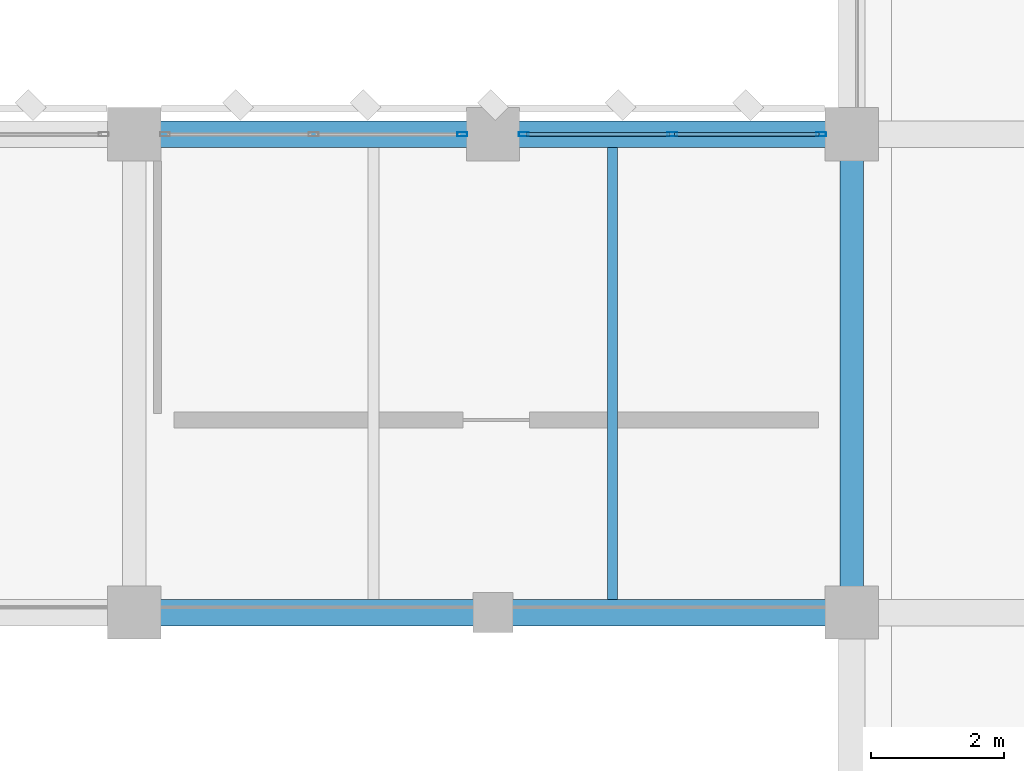
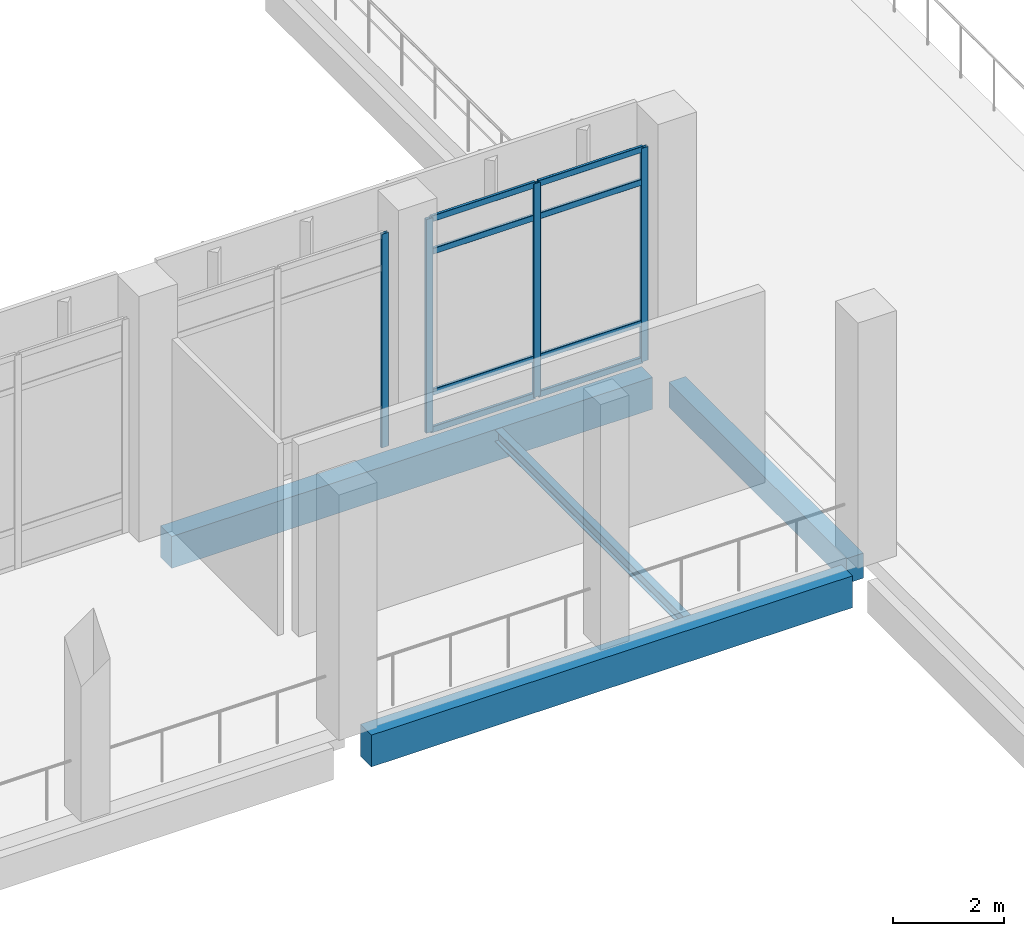
# One storey, part 49 of 180: 12 members, 4 beams, 2 elements without a shape of their own.
"""IFC4 building model written with IfcOpenShell, lengths in metres."""

from ifc_helpers import new_model, si_unit, direction, frame, origin, origin_2d, place, context, subcontext, project, spatial, rectangle, hollow_rectangle, i_section, extrude, material, material_profile, profile_set, type_object, element, aggregate, save


model = new_model("IFC4")

# Units and contexts
model_context = context("Model", 3, precision=1e-05, world=origin(), true_north=direction((0.0, 1.0)))
body_context = subcontext(model_context, "Body", "Model", "MODEL_VIEW")
ifc_project = project(units=[si_unit("LENGTHUNIT", "METRE"), si_unit("AREAUNIT", "SQUARE_METRE"), si_unit("VOLUMEUNIT", "CUBIC_METRE"), si_unit("PLANEANGLEUNIT", "RADIAN"), si_unit("MASSUNIT", "GRAM", prefix="KILO")], contexts=[model_context])

# Site, building, storey
site_placement = place(None, origin())
site = spatial("IfcSite", under=ifc_project, at=site_placement, CompositionType="ELEMENT")
building_placement = place(site_placement, origin())
building = spatial("IfcBuilding", under=site, at=building_placement, Name="Lusvemor Sports Hall", CompositionType="ELEMENT")
storey_placement = place(building_placement, frame((0.0, 0.0, 5.39990234375)))
storey = spatial("IfcBuildingStorey", under=building, at=storey_placement, Name="L01", CompositionType="ELEMENT", Elevation=5.39990234375)

# Beam
ifc_material_1 = material(Name="Concrete C40/50", Category="concrete")
ifc_material_profile_1 = material_profile(ifc_material_1, rectangle(XDim=0.35009765625, YDim=0.550048828125, at=origin_2d()), Name="RC350x550")
ifc_profile_set_1 = profile_set([ifc_material_profile_1], Name="Concrete C40/50")
beam_type_1 = type_object("IfcBeamType", Name="BEAM_RC_550", PredefinedType="BEAM", material=ifc_profile_set_1)
beam_1_placement = place(storey_placement, frame((75.60009765625, 39.99609375, -0.614990234375), z_axis=(0.0, 1.0, 0.0), x_axis=(-1.0, 0.0, 0.0)))
element("IfcBeam", 1, at=beam_1_placement, inside=storey, type_object=beam_type_1, Name="Beam L01 8:E-F", PredefinedType="BEAM", context=body_context, shape_type="SweptSolid", body=[
    extrude(rectangle(XDim=0.35009765625, YDim=0.550048828125, at=origin_2d()), origin(), (0.0, 0.0, 1.0), 6.407958984375),
])

# Curtain wall, member
ifc_material_2 = material(Name="Thermally broken bronze-anodized aluminium", Category="aluminium")
curtain_wall_type = type_object("IfcCurtainWallType", Name="CW_COURT_C", PredefinedType="NOTDEFINED", material=ifc_material_2)
curtain_wall_1_placement = place(storey_placement, origin())
curtain_wall_1 = element("IfcCurtainWall", 2, at=curtain_wall_1_placement, inside=storey, type_object=curtain_wall_type, Name="Curtain Wall CW-V1N-L01-6-A", PredefinedType="NOTDEFINED")
ifc_material_3 = material(Name="Thermally broken bronze-anodized aluminium", Category="aluminium")
ifc_material_profile_2 = material_profile(ifc_material_3, hollow_rectangle(XDim=0.06494140625, YDim=0.14990234375, WallThickness=0.00390625, InnerFilletRadius=0.00390625, OuterFilletRadius=0.008056640625, at=origin_2d()), Name="CWMUL150x65x4")
ifc_profile_set_2 = profile_set([ifc_material_profile_2], Name="Thermally broken bronze-anodized aluminium")
member_type_1 = type_object("IfcMemberType", Name="CW_MUL_B", PredefinedType="MULLION", material=ifc_profile_set_2)
member_1_placement = place(storey_placement, frame((69.737548828125, 46.800048828125, 0.0), z_axis=(0.0, 0.0, 1.0), x_axis=(0.0, 1.0, 0.0)))
member_1 = element("IfcMember", 3, at=member_1_placement, type_object=member_type_1, Name="CW03 mullion 3", PredefinedType="MULLION", context=body_context, shape_type="SweptSolid", body=[
    extrude(hollow_rectangle(XDim=0.06494140625, YDim=0.14990234375, WallThickness=0.00390625, InnerFilletRadius=0.00390625, OuterFilletRadius=0.008056640625, at=origin_2d()), origin(), (0.0, 0.0, 1.0), 4.7001953125),
])
aggregate(curtain_wall_1, [member_1])

# Curtain wall, members
curtain_wall_2_placement = place(storey_placement, origin())
curtain_wall_2 = element("IfcCurtainWall", 4, at=curtain_wall_2_placement, inside=storey, type_object=curtain_wall_type, Name="Curtain Wall CW-V1N-L01-6-B", PredefinedType="NOTDEFINED")
member_2_placement = place(storey_placement, frame((70.66259765625, 46.800048828125, 0.0), z_axis=(0.0, 0.0, 1.0), x_axis=(0.0, 1.0, 0.0)))
member_2 = element("IfcMember", 5, at=member_2_placement, type_object=member_type_1, Name="CW03 mullion 1", PredefinedType="MULLION", context=body_context, shape_type="SweptSolid", body=[
    extrude(hollow_rectangle(XDim=0.06494140625, YDim=0.14990234375, WallThickness=0.00390625, InnerFilletRadius=0.00390625, OuterFilletRadius=0.008056640625, at=origin_2d()), origin(), (0.0, 0.0, 1.0), 4.7001953125),
])
member_3_placement = place(storey_placement, frame((72.89990234375, 46.800048828125, 0.0), z_axis=(0.0, 0.0, 1.0), x_axis=(0.0, 1.0, 0.0)))
member_3 = element("IfcMember", 6, at=member_3_placement, type_object=member_type_1, Name="CW03 mullion 2", PredefinedType="MULLION", context=body_context, shape_type="SweptSolid", body=[
    extrude(hollow_rectangle(XDim=0.06494140625, YDim=0.14990234375, WallThickness=0.00390625, InnerFilletRadius=0.00390625, OuterFilletRadius=0.008056640625, at=origin_2d()), origin(), (0.0, 0.0, 1.0), 4.7001953125),
])
member_4_placement = place(storey_placement, frame((75.137451171875, 46.800048828125, 0.0), z_axis=(0.0, 0.0, 1.0), x_axis=(0.0, 1.0, 0.0)))
member_4 = element("IfcMember", 7, at=member_4_placement, type_object=member_type_1, Name="CW03 mullion 3", PredefinedType="MULLION", context=body_context, shape_type="SweptSolid", body=[
    extrude(hollow_rectangle(XDim=0.06494140625, YDim=0.14990234375, WallThickness=0.00390625, InnerFilletRadius=0.00390625, OuterFilletRadius=0.008056640625, at=origin_2d()), origin(), (0.0, 0.0, 1.0), 4.7001953125),
])
ifc_material_4 = material(Name="Thermally broken bronze-anodized aluminium", Category="aluminium")
ifc_material_profile_3 = material_profile(ifc_material_4, hollow_rectangle(XDim=0.06005859375, YDim=0.135009765625, WallThickness=0.00390625, InnerFilletRadius=0.00390625, OuterFilletRadius=0.008056640625, at=origin_2d()), Name="CWTRN135x60x4")
ifc_profile_set_3 = profile_set([ifc_material_profile_3], Name="Thermally broken bronze-anodized aluminium")
member_type_2 = type_object("IfcMemberType", Name="CW_TRN_B", PredefinedType="USERDEFINED", material=ifc_profile_set_3)
member_5_placement = place(storey_placement, frame((70.695068359375, 46.800048828125, 0.030029296875), z_axis=(1.0, 0.0, 0.0), x_axis=(0.0, 1.0, 0.0)))
member_5 = element("IfcMember", 8, at=member_5_placement, type_object=member_type_2, Name="CW03 transom 1.1", ObjectType="TRANSOM", PredefinedType="USERDEFINED", context=body_context, shape_type="SweptSolid", body=[
    extrude(hollow_rectangle(XDim=0.06005859375, YDim=0.135009765625, WallThickness=0.00390625, InnerFilletRadius=0.00390625, OuterFilletRadius=0.008056640625, at=origin_2d()), origin(), (0.0, 0.0, 1.0), 2.17236328125),
])
member_6_placement = place(storey_placement, frame((70.695068359375, 46.800048828125, 0.85009765625), z_axis=(1.0, 0.0, 0.0), x_axis=(0.0, 1.0, 0.0)))
member_6 = element("IfcMember", 9, at=member_6_placement, type_object=member_type_2, Name="CW03 transom 1.2", ObjectType="TRANSOM", PredefinedType="USERDEFINED", context=body_context, shape_type="SweptSolid", body=[
    extrude(hollow_rectangle(XDim=0.06005859375, YDim=0.135009765625, WallThickness=0.00390625, InnerFilletRadius=0.00390625, OuterFilletRadius=0.008056640625, at=origin_2d()), origin(), (0.0, 0.0, 1.0), 2.17236328125),
])
member_7_placement = place(storey_placement, frame((70.695068359375, 46.800048828125, 3.9501953125), z_axis=(1.0, 0.0, 0.0), x_axis=(0.0, 1.0, 0.0)))
member_7 = element("IfcMember", 10, at=member_7_placement, type_object=member_type_2, Name="CW03 transom 1.3", ObjectType="TRANSOM", PredefinedType="USERDEFINED", context=body_context, shape_type="SweptSolid", body=[
    extrude(hollow_rectangle(XDim=0.06005859375, YDim=0.135009765625, WallThickness=0.00390625, InnerFilletRadius=0.00390625, OuterFilletRadius=0.008056640625, at=origin_2d()), origin(), (0.0, 0.0, 1.0), 2.17236328125),
])
member_8_placement = place(storey_placement, frame((70.695068359375, 46.800048828125, 4.670166015625), z_axis=(1.0, 0.0, 0.0), x_axis=(0.0, 1.0, 0.0)))
member_8 = element("IfcMember", 11, at=member_8_placement, type_object=member_type_2, Name="CW03 transom 1.4", ObjectType="TRANSOM", PredefinedType="USERDEFINED", context=body_context, shape_type="SweptSolid", body=[
    extrude(hollow_rectangle(XDim=0.06005859375, YDim=0.135009765625, WallThickness=0.00390625, InnerFilletRadius=0.00390625, OuterFilletRadius=0.008056640625, at=origin_2d()), origin(), (0.0, 0.0, 1.0), 2.17236328125),
])
member_9_placement = place(storey_placement, frame((72.9326171875, 46.800048828125, 0.030029296875), z_axis=(1.0, 0.0, 0.0), x_axis=(0.0, 1.0, 0.0)))
member_9 = element("IfcMember", 12, at=member_9_placement, type_object=member_type_2, Name="CW03 transom 2.1", ObjectType="TRANSOM", PredefinedType="USERDEFINED", context=body_context, shape_type="SweptSolid", body=[
    extrude(hollow_rectangle(XDim=0.06005859375, YDim=0.135009765625, WallThickness=0.00390625, InnerFilletRadius=0.00390625, OuterFilletRadius=0.008056640625, at=origin_2d()), origin(), (0.0, 0.0, 1.0), 2.17236328125),
])
member_10_placement = place(storey_placement, frame((72.9326171875, 46.800048828125, 0.85009765625), z_axis=(1.0, 0.0, 0.0), x_axis=(0.0, 1.0, 0.0)))
member_10 = element("IfcMember", 13, at=member_10_placement, type_object=member_type_2, Name="CW03 transom 2.2", ObjectType="TRANSOM", PredefinedType="USERDEFINED", context=body_context, shape_type="SweptSolid", body=[
    extrude(hollow_rectangle(XDim=0.06005859375, YDim=0.135009765625, WallThickness=0.00390625, InnerFilletRadius=0.00390625, OuterFilletRadius=0.008056640625, at=origin_2d()), origin(), (0.0, 0.0, 1.0), 2.17236328125),
])
member_11_placement = place(storey_placement, frame((72.9326171875, 46.800048828125, 3.9501953125), z_axis=(1.0, 0.0, 0.0), x_axis=(0.0, 1.0, 0.0)))
member_11 = element("IfcMember", 14, at=member_11_placement, type_object=member_type_2, Name="CW03 transom 2.3", ObjectType="TRANSOM", PredefinedType="USERDEFINED", context=body_context, shape_type="SweptSolid", body=[
    extrude(hollow_rectangle(XDim=0.06005859375, YDim=0.135009765625, WallThickness=0.00390625, InnerFilletRadius=0.00390625, OuterFilletRadius=0.008056640625, at=origin_2d()), origin(), (0.0, 0.0, 1.0), 2.17236328125),
])
member_12_placement = place(storey_placement, frame((72.9326171875, 46.800048828125, 4.670166015625), z_axis=(1.0, 0.0, 0.0), x_axis=(0.0, 1.0, 0.0)))
member_12 = element("IfcMember", 15, at=member_12_placement, type_object=member_type_2, Name="CW03 transom 2.4", ObjectType="TRANSOM", PredefinedType="USERDEFINED", context=body_context, shape_type="SweptSolid", body=[
    extrude(hollow_rectangle(XDim=0.06005859375, YDim=0.135009765625, WallThickness=0.00390625, InnerFilletRadius=0.00390625, OuterFilletRadius=0.008056640625, at=origin_2d()), origin(), (0.0, 0.0, 1.0), 2.17236328125),
])
aggregate(curtain_wall_2, [member_2, member_3, member_4, member_5, member_6, member_7, member_8, member_9, member_10, member_11, member_12])

# Beams
ifc_material_5 = material(Name="Steel S355", Category="steel")
ifc_material_profile_4 = material_profile(ifc_material_5, i_section(OverallWidth=0.14794921875, OverallDepth=0.26611328125, WebThickness=0.007568359375, FlangeThickness=0.012939453125, FilletRadius=0.012939453125, at=origin_2d()), Name="W250x44.8")
ifc_profile_set_4 = profile_set([ifc_material_profile_4], Name="Steel S355")
beam_type_2 = type_object("IfcBeamType", Name="JOIST_ST_250M", PredefinedType="JOIST", material=ifc_profile_set_4)
beam_2_placement = place(storey_placement, frame((72.0, 39.7958984375, -0.4169921875), z_axis=(0.0, 1.0, 0.0), x_axis=(-1.0, 0.0, 0.0)))
element("IfcBeam", 16, at=beam_2_placement, inside=storey, type_object=beam_type_2, Name="Secondary Joist L01 7-8/E-F #2", PredefinedType="JOIST", context=body_context, shape_type="SweptSolid", body=[
    extrude(i_section(OverallWidth=0.14794921875, OverallDepth=0.26611328125, WebThickness=0.007568359375, FlangeThickness=0.012939453125, FilletRadius=0.012939453125, at=origin_2d()), origin(), (0.0, 0.0, 1.0), 6.80810546875),
])
ifc_material_6 = material(Name="Concrete C40/50", Category="concrete")
ifc_material_profile_5 = material_profile(ifc_material_6, rectangle(XDim=0.39990234375, YDim=0.699951171875, at=origin_2d()), Name="RC400x700")
ifc_profile_set_5 = profile_set([ifc_material_profile_5], Name="Concrete C40/50")
beam_type_3 = type_object("IfcBeamType", Name="SPAND_EXT_700", PredefinedType="SPANDREL", material=ifc_profile_set_5)
for number, where, z_axis, x_axis, name in (
    (17, (65.196044921875, 39.60009765625, -0.6298828125), (1.0, 0.0, 0.0), (0.0, 1.0, 0.0), "Beam L01 E:7-8"),
    (18, (65.196044921875, 46.800048828125, -0.6298828125), (1.0, 0.0, 0.0), (0.0, 1.0, 0.0), "Beam L01 F:7-8"),
):
    element("IfcBeam", number, at=place(storey_placement, frame(where, z_axis=z_axis, x_axis=x_axis)), inside=storey, type_object=beam_type_3, Name=name, PredefinedType="SPANDREL", context=body_context, shape_type="SweptSolid", body=[
        extrude(rectangle(XDim=0.39990234375, YDim=0.699951171875, at=origin_2d()), origin(), (0.0, 0.0, 1.0), 10.008056640625),
    ])

save(model, "model.ifc")
